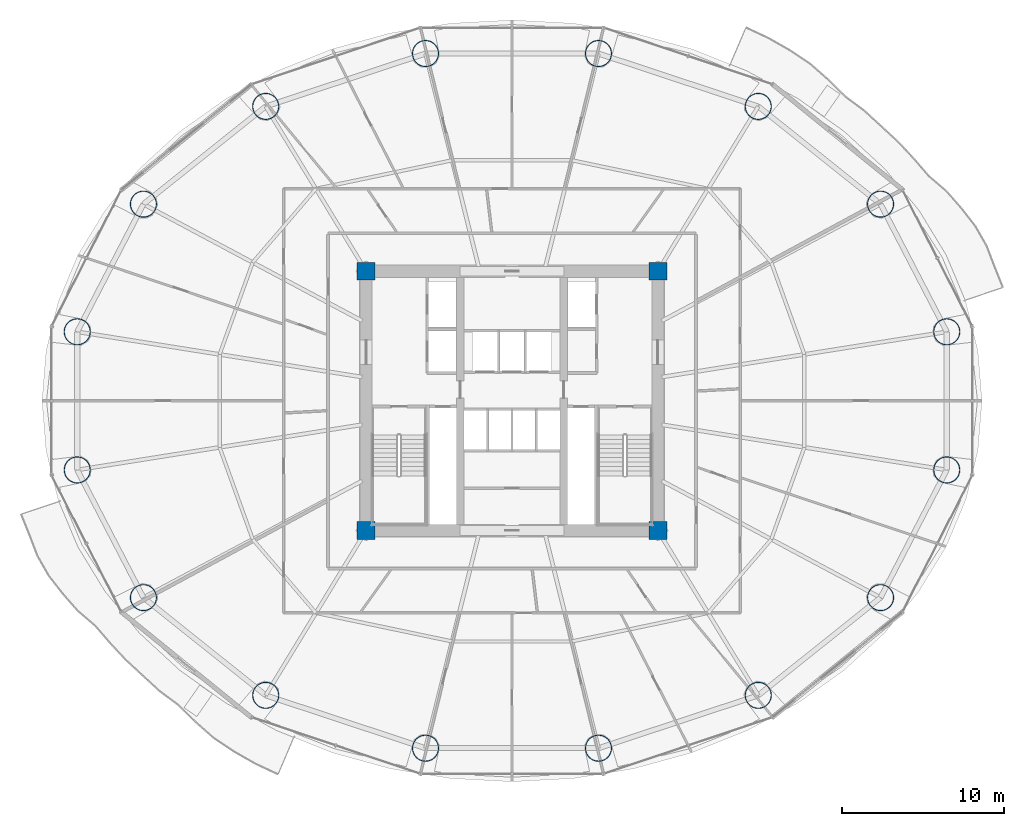
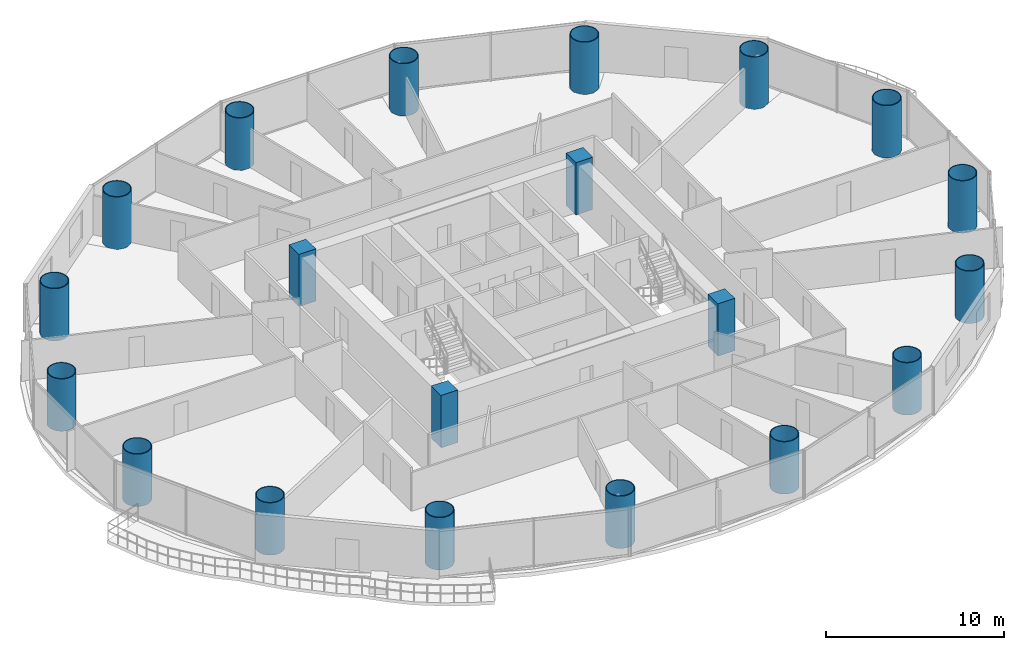
# One storey, part 1 of 30: 20 columns.
"""IFC4 building model written with IfcOpenShell, lengths in metres."""

from ifc_helpers import new_model, si_unit, direction, frame, origin, origin_2d, place, context, subcontext, project, spatial, rectangle, hollow_circle, extrude, material, material_profile, profile_set, type_object, element, save


model = new_model("IFC4")

# Units and contexts
model_context = context("Model", 3, precision=1e-05, world=origin(), true_north=direction((-0.2419218956, 0.970295726276)))
body_context = subcontext(model_context, "Body", "Model", "MODEL_VIEW")
ifc_project = project(units=[si_unit("LENGTHUNIT", "METRE"), si_unit("AREAUNIT", "SQUARE_METRE"), si_unit("VOLUMEUNIT", "CUBIC_METRE"), si_unit("PLANEANGLEUNIT", "RADIAN"), si_unit("MASSUNIT", "GRAM", prefix="KILO")], contexts=[model_context])

# Site, building, storey
site_placement = place(None, origin())
site = spatial("IfcSite", under=ifc_project, at=site_placement, CompositionType="ELEMENT")
building_placement = place(site_placement, origin())
building = spatial("IfcBuilding", under=site, at=building_placement, Name="Cobrevalo Terracotta Tower", CompositionType="ELEMENT")
storey_placement = place(building_placement, frame((0.0, 0.0, 63.60009765625)))
storey = spatial("IfcBuildingStorey", under=building, at=storey_placement, Name="L16", CompositionType="ELEMENT", Elevation=63.60009765625)

# Columns
ifc_material_1 = material(Name="Steel S355", Category="steel")
ifc_material_profile_1 = material_profile(ifc_material_1, hollow_circle(Radius=0.824951171875, WallThickness=0.050048828125, at=origin_2d()), Name="CHS 1650x50")
ifc_profile_set_1 = profile_set([ifc_material_profile_1], Name="Steel S355")
column_type_1 = type_object("IfcColumnType", Name="Structural Column CHS 1650x50 (Steel S355)", PredefinedType="COLUMN", material=ifc_profile_set_1)
for number, where, z_axis, x_axis, name in (
    (1, (64.824462890625, 31.062744140625, 0.0), (0.0, 0.0, 1.0), (1.0, 0.0, 0.0), "L16 composite megacolumn MC01"),
    (2, (60.74072265625, 38.939208984375, 0.0), (0.0, 0.0, 1.0), (1.0, 0.0, 0.0), "L16 composite megacolumn MC02"),
    (3, (53.19482421875, 44.967529296875, 0.0), (0.0, 0.0, 1.0), (1.0, 0.0, 0.0), "L16 composite megacolumn MC03"),
    (4, (43.335693359375, 48.230224609375, 0.0), (0.0, 0.0, 1.0), (1.0, 0.0, 0.0), "L16 composite megacolumn MC04"),
    (5, (32.664306640625, 48.230224609375, 0.0), (0.0, 0.0, 1.0), (1.0, 0.0, 0.0), "L16 composite megacolumn MC05"),
    (6, (22.80517578125, 44.967529296875, 0.0), (0.0, 0.0, 1.0), (1.0, 0.0, 0.0), "L16 composite megacolumn MC06"),
    (7, (15.25927734375, 38.939208984375, 0.0), (0.0, 0.0, 1.0), (1.0, 0.0, 0.0), "L16 composite megacolumn MC07"),
    (8, (11.175537109375, 31.062744140625, 0.0), (0.0, 0.0, 1.0), (1.0, 0.0, 0.0), "L16 composite megacolumn MC08"),
    (9, (11.175537109375, 22.537353515625, 0.0), (0.0, 0.0, 1.0), (1.0, 0.0, 0.0), "L16 composite megacolumn MC09"),
    (10, (15.25927734375, 14.660888671875, 0.0), (0.0, 0.0, 1.0), (1.0, 0.0, 0.0), "L16 composite megacolumn MC10"),
    (11, (22.80517578125, 8.63232421875, 0.0), (0.0, 0.0, 1.0), (1.0, 0.0, 0.0), "L16 composite megacolumn MC11"),
    (12, (32.664306640625, 5.369873046875, 0.0), (0.0, 0.0, 1.0), (1.0, 0.0, 0.0), "L16 composite megacolumn MC12"),
    (13, (43.335693359375, 5.369873046875, 0.0), (0.0, 0.0, 1.0), (1.0, 0.0, 0.0), "L16 composite megacolumn MC13"),
    (14, (53.19482421875, 8.63232421875, 0.0), (0.0, 0.0, 1.0), (1.0, 0.0, 0.0), "L16 composite megacolumn MC14"),
    (15, (60.74072265625, 14.660888671875, 0.0), (0.0, 0.0, 1.0), (1.0, 0.0, 0.0), "L16 composite megacolumn MC15"),
    (16, (64.824462890625, 22.537353515625, 0.0), (0.0, 0.0, 1.0), (1.0, 0.0, 0.0), "L16 composite megacolumn MC16"),
):
    element("IfcColumn", number, at=place(storey_placement, frame(where, z_axis=z_axis, x_axis=x_axis)), inside=storey, type_object=column_type_1, Name=name, PredefinedType="COLUMN", context=body_context, shape_type="SweptSolid", body=[
        extrude(hollow_circle(Radius=0.824951171875, WallThickness=0.050048828125, at=origin_2d()), origin(), (0.0, 0.0, 1.0), 3.599853515625),
    ])
ifc_material_2 = material(Name="Concrete C60", Category="concrete")
ifc_material_profile_2 = material_profile(ifc_material_2, rectangle(XDim=1.10009765625, YDim=1.10009765625, at=origin_2d()), Name="RC COL 1100x1100")
ifc_profile_set_2 = profile_set([ifc_material_profile_2], Name="Concrete C60")
column_type_2 = type_object("IfcColumnType", Name="Structural Column RC COL 1100x1100 (Concrete C60)", PredefinedType="COLUMN", material=ifc_profile_set_2)
for number, where, z_axis, x_axis, name in (
    (17, (29.0, 18.800048828125, 0.0), (0.0, 0.0, 1.0), (1.0, 0.0, 0.0), "L16 core corner column CC1"),
    (18, (47.0, 18.800048828125, 0.0), (0.0, 0.0, 1.0), (1.0, 0.0, 0.0), "L16 core corner column CC2"),
    (19, (47.0, 34.800048828125, 0.0), (0.0, 0.0, 1.0), (1.0, 0.0, 0.0), "L16 core corner column CC3"),
    (20, (29.0, 34.800048828125, 0.0), (0.0, 0.0, 1.0), (1.0, 0.0, 0.0), "L16 core corner column CC4"),
):
    element("IfcColumn", number, at=place(storey_placement, frame(where, z_axis=z_axis, x_axis=x_axis)), inside=storey, type_object=column_type_2, Name=name, PredefinedType="COLUMN", context=body_context, shape_type="SweptSolid", body=[
        extrude(rectangle(XDim=1.10009765625, YDim=1.10009765625, at=origin_2d()), origin(), (0.0, 0.0, 1.0), 3.599853515625),
    ])

save(model, "model.ifc")
